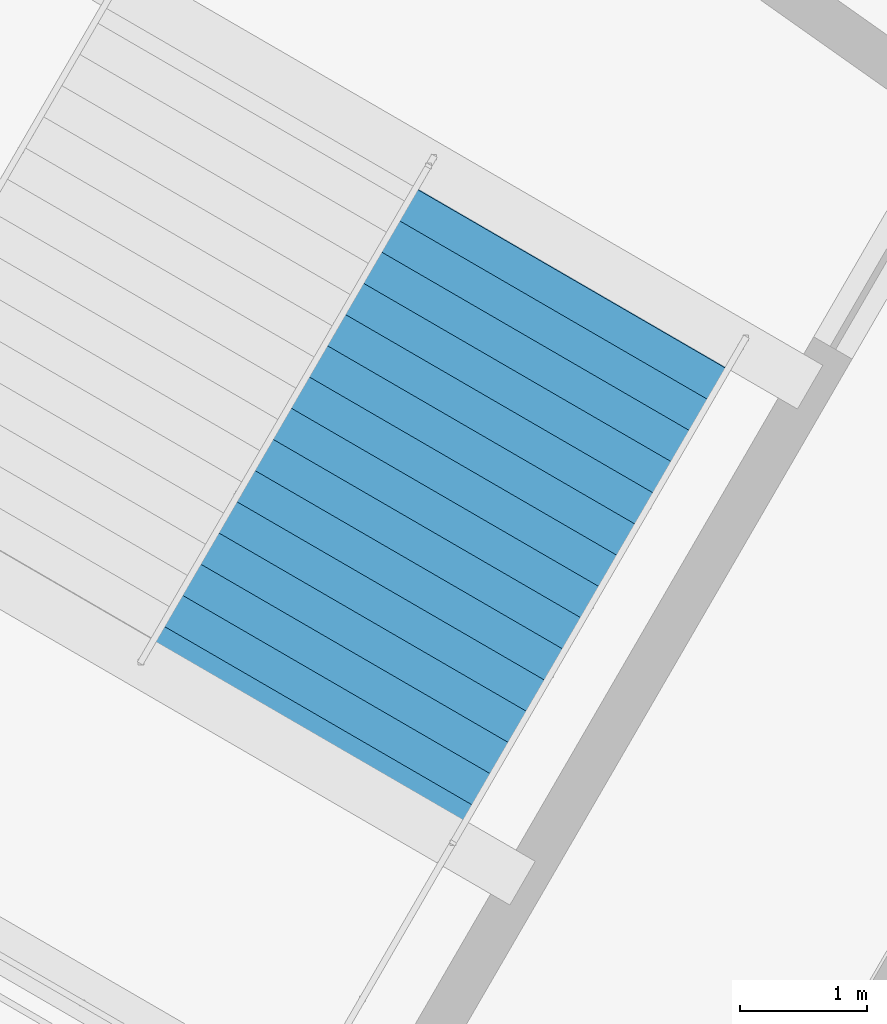
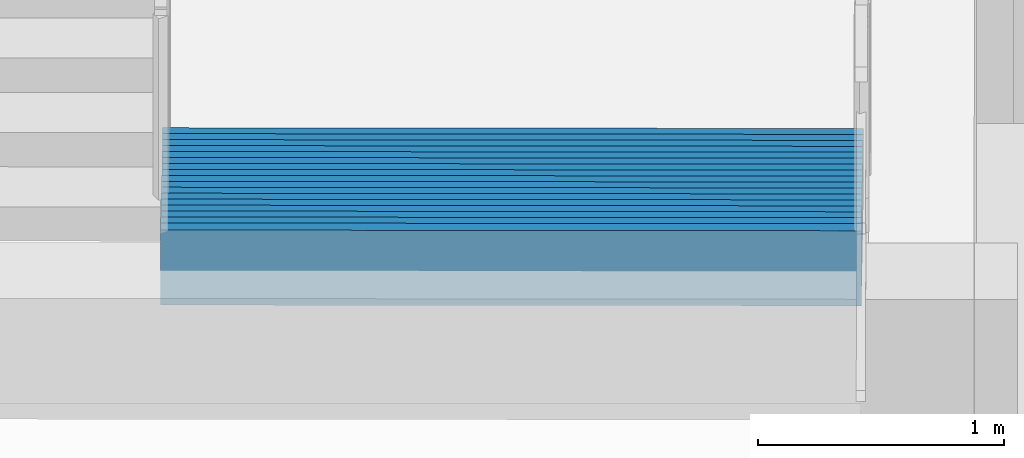
# One storey, part 34 of 48: 1 stair flight, 1 element without a shape of its own.
"""IFC4 building model written with IfcOpenShell, lengths in metres."""

from ifc_helpers import new_model, si_unit, direction, frame, origin, place, context, subcontext, project, spatial, polygons, material, type_object, element, aggregate, save


model = new_model("IFC4")

# Units and contexts
model_context = context("Model", 3, precision=1e-05, world=origin(), true_north=direction((0.0, 1.0)))
body_context = subcontext(model_context, "Body", "Model", "MODEL_VIEW")
ifc_project = project(units=[si_unit("LENGTHUNIT", "METRE"), si_unit("AREAUNIT", "SQUARE_METRE"), si_unit("VOLUMEUNIT", "CUBIC_METRE"), si_unit("PLANEANGLEUNIT", "RADIAN"), si_unit("MASSUNIT", "GRAM", prefix="KILO")], contexts=[model_context])

# Site, building, storey
site_placement = place(None, origin())
site = spatial("IfcSite", under=ifc_project, at=site_placement, CompositionType="ELEMENT")
building_placement = place(site_placement, origin())
building = spatial("IfcBuilding", under=site, at=building_placement, Name="Kazemori Nagisa Stadium", CompositionType="ELEMENT")
storey_placement = place(building_placement, origin())
storey = spatial("IfcBuildingStorey", under=building, at=storey_placement, Name="L00", CompositionType="ELEMENT", Elevation=0.0)

# Stair, stair flight
ifc_material = material(Name="Concrete C36/45 (Fc36)", Category="concrete")
stair_type = type_object("IfcStairType", Name="Stair_CORE_34", PredefinedType="TWO_STRAIGHT_RUN_STAIR", material=ifc_material)
stair_placement = place(storey_placement, origin())
stair = element("IfcStair", 1, at=stair_placement, inside=storey, type_object=stair_type, Name="Exit stair ST08 L00", PredefinedType="TWO_STRAIGHT_RUN_STAIR")
stair_flight_type = type_object("IfcStairFlightType", Name="Flight_CORE_17", PredefinedType="STRAIGHT", material=ifc_material)
stair_flight_placement = place(storey_placement, frame((49.54345703125, 150.724609375, 0.0), z_axis=(0.0, 0.0, 1.0), x_axis=(-0.501612320914, -0.865092526559, 0.0)))
stair_flight = element("IfcStairFlight", 2, at=stair_flight_placement, type_object=stair_flight_type, Name="Exit stair ST08 L00 flight 1", NumberOfRisers=17, NumberOfTreads=16, PredefinedType="STRAIGHT", RiserHeight=0.17, TreadLength=0.285, context=body_context, shape_type="Tessellation", body=[
    polygons([(0.0, -1.425048828125, 0.0), (0.0, -1.425048828125, 0.169921875), (0.284912109375, -1.425048828125, 0.169921875), (0.284912109375, -1.425048828125, 0.340087890625), (0.570068359375, -1.425048828125, 0.340087890625), (0.570068359375, -1.425048828125, 0.510009765625), (0.85498046875, -1.425048828125, 0.510009765625), (0.85498046875, -1.425048828125, 0.679931640625), (1.139892578125, -1.425048828125, 0.679931640625), (1.139892578125, -1.425048828125, 0.85009765625), (1.425048828125, -1.425048828125, 0.85009765625), (1.425048828125, -1.425048828125, 1.02001953125), (1.7099609375, -1.425048828125, 1.02001953125), (1.7099609375, -1.425048828125, 1.18994140625), (1.9951171875, -1.425048828125, 1.18994140625), (1.9951171875, -1.425048828125, 1.360107421875), (2.280029296875, -1.425048828125, 1.360107421875), (2.280029296875, -1.425048828125, 1.530029296875), (2.56494140625, -1.425048828125, 1.530029296875), (2.56494140625, -1.425048828125, 1.699951171875), (2.85009765625, -1.425048828125, 1.699951171875), (2.85009765625, -1.425048828125, 1.8701171875), (3.135009765625, -1.425048828125, 1.8701171875), (3.135009765625, -1.425048828125, 2.0400390625), (3.419921875, -1.425048828125, 2.0400390625), (3.419921875, -1.425048828125, 2.2099609375), (3.705078125, -1.425048828125, 2.2099609375), (3.705078125, -1.425048828125, 2.3798828125), (3.989990234375, -1.425048828125, 2.3798828125), (3.989990234375, -1.425048828125, 2.550048828125), (4.27490234375, -1.425048828125, 2.550048828125), (4.27490234375, -1.425048828125, 2.719970703125), (4.56005859375, -1.425048828125, 2.719970703125), (4.56005859375, -1.425048828125, 2.889892578125), (4.610107421875, -1.425048828125, 2.889892578125), (4.610107421875, -1.425048828125, 2.51708984375), (4.56005859375, -1.425048828125, 2.487060546875), (4.27490234375, -1.425048828125, 2.317138671875), (3.989990234375, -1.425048828125, 2.147216796875), (3.705078125, -1.425048828125, 1.977294921875), (3.419921875, -1.425048828125, 1.80712890625), (3.135009765625, -1.425048828125, 1.63720703125), (2.85009765625, -1.425048828125, 1.46728515625), (2.56494140625, -1.425048828125, 1.297119140625), (2.280029296875, -1.425048828125, 1.127197265625), (1.9951171875, -1.425048828125, 0.957275390625), (1.7099609375, -1.425048828125, 0.787109375), (1.425048828125, -1.425048828125, 0.6171875), (1.139892578125, -1.425048828125, 0.447265625), (0.85498046875, -1.425048828125, 0.277099609375), (0.570068359375, -1.425048828125, 0.107177734375), (0.284912109375, -1.425048828125, 0.0), (0.0, -0.08544921875, 0.0), (0.0, -0.08544921875, 0.169921875), (0.284912109375, -0.08544921875, 0.169921875), (0.284912109375, -0.08544921875, 0.340087890625), (0.570068359375, -0.08544921875, 0.340087890625), (0.570068359375, -0.08544921875, 0.510009765625), (0.85498046875, -0.08544921875, 0.510009765625), (0.85498046875, -0.08544921875, 0.679931640625), (1.139892578125, -0.08544921875, 0.679931640625), (1.139892578125, -0.08544921875, 0.85009765625), (1.425048828125, -0.08544921875, 0.85009765625), (1.425048828125, -0.08544921875, 1.02001953125), (1.7099609375, -0.08544921875, 1.02001953125), (1.7099609375, -0.08544921875, 1.18994140625), (1.9951171875, -0.08544921875, 1.18994140625), (1.9951171875, -0.08544921875, 1.360107421875), (2.280029296875, -0.08544921875, 1.360107421875), (2.280029296875, -0.08544921875, 1.530029296875), (2.56494140625, -0.08544921875, 1.530029296875), (2.56494140625, -0.08544921875, 1.699951171875), (2.85009765625, -0.08544921875, 1.699951171875), (2.85009765625, -0.08544921875, 1.8701171875), (3.135009765625, -0.08544921875, 1.8701171875), (3.135009765625, -0.08544921875, 2.0400390625), (3.419921875, -0.08544921875, 2.0400390625), (3.419921875, -0.08544921875, 2.2099609375), (3.705078125, -0.08544921875, 2.2099609375), (3.705078125, -0.08544921875, 2.3798828125), (3.989990234375, -0.08544921875, 2.3798828125), (3.989990234375, -0.08544921875, 2.550048828125), (4.27490234375, -0.08544921875, 2.550048828125), (4.27490234375, -0.08544921875, 2.719970703125), (4.56005859375, -0.08544921875, 2.719970703125), (4.56005859375, -0.08544921875, 2.889892578125), (4.610107421875, -0.08544921875, 2.889892578125), (4.610107421875, -0.08544921875, 2.51708984375), (4.56005859375, -0.08544921875, 2.487060546875), (4.27490234375, -0.08544921875, 2.317138671875), (3.989990234375, -0.08544921875, 2.147216796875), (3.705078125, -0.08544921875, 1.977294921875), (3.419921875, -0.08544921875, 1.80712890625), (3.135009765625, -0.08544921875, 1.63720703125), (2.85009765625, -0.08544921875, 1.46728515625), (2.56494140625, -0.08544921875, 1.297119140625), (2.280029296875, -0.08544921875, 1.127197265625), (1.9951171875, -0.08544921875, 0.957275390625), (1.7099609375, -0.08544921875, 0.787109375), (1.425048828125, -0.08544921875, 0.6171875), (1.139892578125, -0.08544921875, 0.447265625), (0.85498046875, -0.08544921875, 0.277099609375), (0.570068359375, -0.08544921875, 0.107177734375), (0.284912109375, -0.08544921875, 0.0), (0.0, 0.0, 0.0), (0.0, 0.0, 0.169921875), (0.284912109375, 0.0, 0.169921875), (0.284912109375, 0.0, 0.340087890625), (0.570068359375, 0.0, 0.340087890625), (0.570068359375, 0.0, 0.510009765625), (0.85498046875, 0.0, 0.510009765625), (0.85498046875, 0.0, 0.679931640625), (1.139892578125, 0.0, 0.679931640625), (1.139892578125, 0.0, 0.85009765625), (1.425048828125, 0.0, 0.85009765625), (1.425048828125, 0.0, 1.02001953125), (1.7099609375, 0.0, 1.02001953125), (1.7099609375, 0.0, 1.18994140625), (1.9951171875, 0.0, 1.18994140625), (1.9951171875, 0.0, 1.360107421875), (2.280029296875, 0.0, 1.360107421875), (2.280029296875, 0.0, 1.530029296875), (2.56494140625, 0.0, 1.530029296875), (2.56494140625, 0.0, 1.699951171875), (2.85009765625, 0.0, 1.699951171875), (2.85009765625, 0.0, 1.8701171875), (3.135009765625, 0.0, 1.8701171875), (3.135009765625, 0.0, 2.0400390625), (3.419921875, 0.0, 2.0400390625), (3.419921875, 0.0, 2.2099609375), (3.705078125, 0.0, 2.2099609375), (3.705078125, 0.0, 2.3798828125), (3.989990234375, 0.0, 2.3798828125), (3.989990234375, 0.0, 2.550048828125), (4.27490234375, 0.0, 2.550048828125), (4.27490234375, 0.0, 2.719970703125), (4.56005859375, 0.0, 2.719970703125), (4.56005859375, 0.0, 2.889892578125), (4.610107421875, 0.0, 2.889892578125), (4.610107421875, 0.0, 2.51708984375), (4.56005859375, 0.0, 2.487060546875), (4.27490234375, 0.0, 2.317138671875), (3.989990234375, 0.0, 2.147216796875), (3.705078125, 0.0, 1.977294921875), (3.419921875, 0.0, 1.80712890625), (3.135009765625, 0.0, 1.63720703125), (2.85009765625, 0.0, 1.46728515625), (2.56494140625, 0.0, 1.297119140625), (2.280029296875, 0.0, 1.127197265625), (1.9951171875, 0.0, 0.957275390625), (1.7099609375, 0.0, 0.787109375), (1.425048828125, 0.0, 0.6171875), (1.139892578125, 0.0, 0.447265625), (0.85498046875, 0.0, 0.277099609375), (0.570068359375, 0.0, 0.107177734375), (0.284912109375, 0.0, 0.0), (0.0, 0.08544921875, 0.0), (0.0, 0.08544921875, 0.169921875), (0.284912109375, 0.08544921875, 0.169921875), (0.284912109375, 0.08544921875, 0.340087890625), (0.570068359375, 0.08544921875, 0.340087890625), (0.570068359375, 0.08544921875, 0.510009765625), (0.85498046875, 0.08544921875, 0.510009765625), (0.85498046875, 0.08544921875, 0.679931640625), (1.139892578125, 0.08544921875, 0.679931640625), (1.139892578125, 0.08544921875, 0.85009765625), (1.425048828125, 0.08544921875, 0.85009765625), (1.425048828125, 0.08544921875, 1.02001953125), (1.7099609375, 0.08544921875, 1.02001953125), (1.7099609375, 0.08544921875, 1.18994140625), (1.9951171875, 0.08544921875, 1.18994140625), (1.9951171875, 0.08544921875, 1.360107421875), (2.280029296875, 0.08544921875, 1.360107421875), (2.280029296875, 0.08544921875, 1.530029296875), (2.56494140625, 0.08544921875, 1.530029296875), (2.56494140625, 0.08544921875, 1.699951171875), (2.85009765625, 0.08544921875, 1.699951171875), (2.85009765625, 0.08544921875, 1.8701171875), (3.135009765625, 0.08544921875, 1.8701171875), (3.135009765625, 0.08544921875, 2.0400390625), (3.419921875, 0.08544921875, 2.0400390625), (3.419921875, 0.08544921875, 2.2099609375), (3.705078125, 0.08544921875, 2.2099609375), (3.705078125, 0.08544921875, 2.3798828125), (3.989990234375, 0.08544921875, 2.3798828125), (3.989990234375, 0.08544921875, 2.550048828125), (4.27490234375, 0.08544921875, 2.550048828125), (4.27490234375, 0.08544921875, 2.719970703125), (4.56005859375, 0.08544921875, 2.719970703125), (4.56005859375, 0.08544921875, 2.889892578125), (4.610107421875, 0.08544921875, 2.889892578125), (4.610107421875, 0.08544921875, 2.51708984375), (4.56005859375, 0.08544921875, 2.487060546875), (4.27490234375, 0.08544921875, 2.317138671875), (3.989990234375, 0.08544921875, 2.147216796875), (3.705078125, 0.08544921875, 1.977294921875), (3.419921875, 0.08544921875, 1.80712890625), (3.135009765625, 0.08544921875, 1.63720703125), (2.85009765625, 0.08544921875, 1.46728515625), (2.56494140625, 0.08544921875, 1.297119140625), (2.280029296875, 0.08544921875, 1.127197265625), (1.9951171875, 0.08544921875, 0.957275390625), (1.7099609375, 0.08544921875, 0.787109375), (1.425048828125, 0.08544921875, 0.6171875), (1.139892578125, 0.08544921875, 0.447265625), (0.85498046875, 0.08544921875, 0.277099609375), (0.570068359375, 0.08544921875, 0.107177734375), (0.284912109375, 0.08544921875, 0.0), (0.0, 1.425048828125, 0.0), (0.0, 1.425048828125, 0.169921875), (0.284912109375, 1.425048828125, 0.169921875), (0.284912109375, 1.425048828125, 0.340087890625), (0.570068359375, 1.425048828125, 0.340087890625), (0.570068359375, 1.425048828125, 0.510009765625), (0.85498046875, 1.425048828125, 0.510009765625), (0.85498046875, 1.425048828125, 0.679931640625), (1.139892578125, 1.425048828125, 0.679931640625), (1.139892578125, 1.425048828125, 0.85009765625), (1.425048828125, 1.425048828125, 0.85009765625), (1.425048828125, 1.425048828125, 1.02001953125), (1.7099609375, 1.425048828125, 1.02001953125), (1.7099609375, 1.425048828125, 1.18994140625), (1.9951171875, 1.425048828125, 1.18994140625), (1.9951171875, 1.425048828125, 1.360107421875), (2.280029296875, 1.425048828125, 1.360107421875), (2.280029296875, 1.425048828125, 1.530029296875), (2.56494140625, 1.425048828125, 1.530029296875), (2.56494140625, 1.425048828125, 1.699951171875), (2.85009765625, 1.425048828125, 1.699951171875), (2.85009765625, 1.425048828125, 1.8701171875), (3.135009765625, 1.425048828125, 1.8701171875), (3.135009765625, 1.425048828125, 2.0400390625), (3.419921875, 1.425048828125, 2.0400390625), (3.419921875, 1.425048828125, 2.2099609375), (3.705078125, 1.425048828125, 2.2099609375), (3.705078125, 1.425048828125, 2.3798828125), (3.989990234375, 1.425048828125, 2.3798828125), (3.989990234375, 1.425048828125, 2.550048828125), (4.27490234375, 1.425048828125, 2.550048828125), (4.27490234375, 1.425048828125, 2.719970703125), (4.56005859375, 1.425048828125, 2.719970703125), (4.56005859375, 1.425048828125, 2.889892578125), (4.610107421875, 1.425048828125, 2.889892578125), (4.610107421875, 1.425048828125, 2.51708984375), (4.56005859375, 1.425048828125, 2.487060546875), (4.27490234375, 1.425048828125, 2.317138671875), (3.989990234375, 1.425048828125, 2.147216796875), (3.705078125, 1.425048828125, 1.977294921875), (3.419921875, 1.425048828125, 1.80712890625), (3.135009765625, 1.425048828125, 1.63720703125), (2.85009765625, 1.425048828125, 1.46728515625), (2.56494140625, 1.425048828125, 1.297119140625), (2.280029296875, 1.425048828125, 1.127197265625), (1.9951171875, 1.425048828125, 0.957275390625), (1.7099609375, 1.425048828125, 0.787109375), (1.425048828125, 1.425048828125, 0.6171875), (1.139892578125, 1.425048828125, 0.447265625), (0.85498046875, 1.425048828125, 0.277099609375), (0.570068359375, 1.425048828125, 0.107177734375), (0.284912109375, 1.425048828125, 0.0)], [[[1, 2, 54]], [[1, 54, 53]], [[2, 3, 55]], [[2, 55, 54]], [[3, 4, 56]], [[3, 56, 55]], [[4, 5, 57]], [[4, 57, 56]], [[5, 6, 58]], [[5, 58, 57]], [[6, 7, 59]], [[6, 59, 58]], [[7, 8, 60]], [[7, 60, 59]], [[8, 9, 61]], [[8, 61, 60]], [[9, 10, 62]], [[9, 62, 61]], [[10, 11, 63]], [[10, 63, 62]], [[11, 12, 64]], [[11, 64, 63]], [[12, 13, 65]], [[12, 65, 64]], [[13, 14, 66]], [[13, 66, 65]], [[14, 15, 67]], [[14, 67, 66]], [[15, 16, 68]], [[15, 68, 67]], [[16, 17, 69]], [[16, 69, 68]], [[17, 18, 70]], [[17, 70, 69]], [[18, 19, 71]], [[18, 71, 70]], [[19, 20, 72]], [[19, 72, 71]], [[20, 21, 73]], [[20, 73, 72]], [[21, 22, 74]], [[21, 74, 73]], [[22, 23, 75]], [[22, 75, 74]], [[23, 24, 76]], [[23, 76, 75]], [[24, 25, 77]], [[24, 77, 76]], [[25, 26, 78]], [[25, 78, 77]], [[26, 27, 79]], [[26, 79, 78]], [[27, 28, 80]], [[27, 80, 79]], [[28, 29, 81]], [[28, 81, 80]], [[29, 30, 82]], [[29, 82, 81]], [[30, 31, 83]], [[30, 83, 82]], [[31, 32, 84]], [[31, 84, 83]], [[32, 33, 85]], [[32, 85, 84]], [[33, 34, 86]], [[33, 86, 85]], [[34, 35, 87]], [[34, 87, 86]], [[35, 36, 88]], [[35, 88, 87]], [[36, 37, 89]], [[36, 89, 88]], [[37, 38, 90]], [[37, 90, 89]], [[38, 39, 91]], [[38, 91, 90]], [[39, 40, 92]], [[39, 92, 91]], [[40, 41, 93]], [[40, 93, 92]], [[41, 42, 94]], [[41, 94, 93]], [[42, 43, 95]], [[42, 95, 94]], [[43, 44, 96]], [[43, 96, 95]], [[44, 45, 97]], [[44, 97, 96]], [[45, 46, 98]], [[45, 98, 97]], [[46, 47, 99]], [[46, 99, 98]], [[47, 48, 100]], [[47, 100, 99]], [[48, 49, 101]], [[48, 101, 100]], [[49, 50, 102]], [[49, 102, 101]], [[50, 51, 103]], [[50, 103, 102]], [[51, 52, 104]], [[51, 104, 103]], [[52, 1, 53]], [[52, 53, 104]], [[53, 54, 106]], [[53, 106, 105]], [[54, 55, 107]], [[54, 107, 106]], [[55, 56, 108]], [[55, 108, 107]], [[56, 57, 109]], [[56, 109, 108]], [[57, 58, 110]], [[57, 110, 109]], [[58, 59, 111]], [[58, 111, 110]], [[59, 60, 112]], [[59, 112, 111]], [[60, 61, 113]], [[60, 113, 112]], [[61, 62, 114]], [[61, 114, 113]], [[62, 63, 115]], [[62, 115, 114]], [[63, 64, 116]], [[63, 116, 115]], [[64, 65, 117]], [[64, 117, 116]], [[65, 66, 118]], [[65, 118, 117]], [[66, 67, 119]], [[66, 119, 118]], [[67, 68, 120]], [[67, 120, 119]], [[68, 69, 121]], [[68, 121, 120]], [[69, 70, 122]], [[69, 122, 121]], [[70, 71, 123]], [[70, 123, 122]], [[71, 72, 124]], [[71, 124, 123]], [[72, 73, 125]], [[72, 125, 124]], [[73, 74, 126]], [[73, 126, 125]], [[74, 75, 127]], [[74, 127, 126]], [[75, 76, 128]], [[75, 128, 127]], [[76, 77, 129]], [[76, 129, 128]], [[77, 78, 130]], [[77, 130, 129]], [[78, 79, 131]], [[78, 131, 130]], [[79, 80, 132]], [[79, 132, 131]], [[80, 81, 133]], [[80, 133, 132]], [[81, 82, 134]], [[81, 134, 133]], [[82, 83, 135]], [[82, 135, 134]], [[83, 84, 136]], [[83, 136, 135]], [[84, 85, 137]], [[84, 137, 136]], [[85, 86, 138]], [[85, 138, 137]], [[86, 87, 139]], [[86, 139, 138]], [[87, 88, 140]], [[87, 140, 139]], [[88, 89, 141]], [[88, 141, 140]], [[89, 90, 142]], [[89, 142, 141]], [[90, 91, 143]], [[90, 143, 142]], [[91, 92, 144]], [[91, 144, 143]], [[92, 93, 145]], [[92, 145, 144]], [[93, 94, 146]], [[93, 146, 145]], [[94, 95, 147]], [[94, 147, 146]], [[95, 96, 148]], [[95, 148, 147]], [[96, 97, 149]], [[96, 149, 148]], [[97, 98, 150]], [[97, 150, 149]], [[98, 99, 151]], [[98, 151, 150]], [[99, 100, 152]], [[99, 152, 151]], [[100, 101, 153]], [[100, 153, 152]], [[101, 102, 154]], [[101, 154, 153]], [[102, 103, 155]], [[102, 155, 154]], [[103, 104, 156]], [[103, 156, 155]], [[104, 53, 105]], [[104, 105, 156]], [[105, 106, 158]], [[105, 158, 157]], [[106, 107, 159]], [[106, 159, 158]], [[107, 108, 160]], [[107, 160, 159]], [[108, 109, 161]], [[108, 161, 160]], [[109, 110, 162]], [[109, 162, 161]], [[110, 111, 163]], [[110, 163, 162]], [[111, 112, 164]], [[111, 164, 163]], [[112, 113, 165]], [[112, 165, 164]], [[113, 114, 166]], [[113, 166, 165]], [[114, 115, 167]], [[114, 167, 166]], [[115, 116, 168]], [[115, 168, 167]], [[116, 117, 169]], [[116, 169, 168]], [[117, 118, 170]], [[117, 170, 169]], [[118, 119, 171]], [[118, 171, 170]], [[119, 120, 172]], [[119, 172, 171]], [[120, 121, 173]], [[120, 173, 172]], [[121, 122, 174]], [[121, 174, 173]], [[122, 123, 175]], [[122, 175, 174]], [[123, 124, 176]], [[123, 176, 175]], [[124, 125, 177]], [[124, 177, 176]], [[125, 126, 178]], [[125, 178, 177]], [[126, 127, 179]], [[126, 179, 178]], [[127, 128, 180]], [[127, 180, 179]], [[128, 129, 181]], [[128, 181, 180]], [[129, 130, 182]], [[129, 182, 181]], [[130, 131, 183]], [[130, 183, 182]], [[131, 132, 184]], [[131, 184, 183]], [[132, 133, 185]], [[132, 185, 184]], [[133, 134, 186]], [[133, 186, 185]], [[134, 135, 187]], [[134, 187, 186]], [[135, 136, 188]], [[135, 188, 187]], [[136, 137, 189]], [[136, 189, 188]], [[137, 138, 190]], [[137, 190, 189]], [[138, 139, 191]], [[138, 191, 190]], [[139, 140, 192]], [[139, 192, 191]], [[140, 141, 193]], [[140, 193, 192]], [[141, 142, 194]], [[141, 194, 193]], [[142, 143, 195]], [[142, 195, 194]], [[143, 144, 196]], [[143, 196, 195]], [[144, 145, 197]], [[144, 197, 196]], [[145, 146, 198]], [[145, 198, 197]], [[146, 147, 199]], [[146, 199, 198]], [[147, 148, 200]], [[147, 200, 199]], [[148, 149, 201]], [[148, 201, 200]], [[149, 150, 202]], [[149, 202, 201]], [[150, 151, 203]], [[150, 203, 202]], [[151, 152, 204]], [[151, 204, 203]], [[152, 153, 205]], [[152, 205, 204]], [[153, 154, 206]], [[153, 206, 205]], [[154, 155, 207]], [[154, 207, 206]], [[155, 156, 208]], [[155, 208, 207]], [[156, 105, 157]], [[156, 157, 208]], [[157, 158, 210]], [[157, 210, 209]], [[158, 159, 211]], [[158, 211, 210]], [[159, 160, 212]], [[159, 212, 211]], [[160, 161, 213]], [[160, 213, 212]], [[161, 162, 214]], [[161, 214, 213]], [[162, 163, 215]], [[162, 215, 214]], [[163, 164, 216]], [[163, 216, 215]], [[164, 165, 217]], [[164, 217, 216]], [[165, 166, 218]], [[165, 218, 217]], [[166, 167, 219]], [[166, 219, 218]], [[167, 168, 220]], [[167, 220, 219]], [[168, 169, 221]], [[168, 221, 220]], [[169, 170, 222]], [[169, 222, 221]], [[170, 171, 223]], [[170, 223, 222]], [[171, 172, 224]], [[171, 224, 223]], [[172, 173, 225]], [[172, 225, 224]], [[173, 174, 226]], [[173, 226, 225]], [[174, 175, 227]], [[174, 227, 226]], [[175, 176, 228]], [[175, 228, 227]], [[176, 177, 229]], [[176, 229, 228]], [[177, 178, 230]], [[177, 230, 229]], [[178, 179, 231]], [[178, 231, 230]], [[179, 180, 232]], [[179, 232, 231]], [[180, 181, 233]], [[180, 233, 232]], [[181, 182, 234]], [[181, 234, 233]], [[182, 183, 235]], [[182, 235, 234]], [[183, 184, 236]], [[183, 236, 235]], [[184, 185, 237]], [[184, 237, 236]], [[185, 186, 238]], [[185, 238, 237]], [[186, 187, 239]], [[186, 239, 238]], [[187, 188, 240]], [[187, 240, 239]], [[188, 189, 241]], [[188, 241, 240]], [[189, 190, 242]], [[189, 242, 241]], [[190, 191, 243]], [[190, 243, 242]], [[191, 192, 244]], [[191, 244, 243]], [[192, 193, 245]], [[192, 245, 244]], [[193, 194, 246]], [[193, 246, 245]], [[194, 195, 247]], [[194, 247, 246]], [[195, 196, 248]], [[195, 248, 247]], [[196, 197, 249]], [[196, 249, 248]], [[197, 198, 250]], [[197, 250, 249]], [[198, 199, 251]], [[198, 251, 250]], [[199, 200, 252]], [[199, 252, 251]], [[200, 201, 253]], [[200, 253, 252]], [[201, 202, 254]], [[201, 254, 253]], [[202, 203, 255]], [[202, 255, 254]], [[203, 204, 256]], [[203, 256, 255]], [[204, 205, 257]], [[204, 257, 256]], [[205, 206, 258]], [[205, 258, 257]], [[206, 207, 259]], [[206, 259, 258]], [[207, 208, 260]], [[207, 260, 259]], [[208, 157, 209]], [[208, 209, 260]], [[3, 2, 1]], [[209, 210, 211]], [[52, 3, 1]], [[209, 211, 260]], [[51, 3, 52]], [[260, 211, 259]], [[5, 3, 51]], [[259, 211, 213]], [[5, 4, 3]], [[211, 212, 213]], [[50, 5, 51]], [[259, 213, 258]], [[7, 5, 50]], [[258, 213, 215]], [[7, 6, 5]], [[213, 214, 215]], [[49, 7, 50]], [[258, 215, 257]], [[9, 7, 49]], [[257, 215, 217]], [[9, 8, 7]], [[215, 216, 217]], [[48, 9, 49]], [[257, 217, 256]], [[11, 9, 48]], [[256, 217, 219]], [[11, 10, 9]], [[217, 218, 219]], [[47, 11, 48]], [[256, 219, 255]], [[13, 11, 47]], [[255, 219, 221]], [[13, 12, 11]], [[219, 220, 221]], [[46, 13, 47]], [[255, 221, 254]], [[15, 13, 46]], [[254, 221, 223]], [[15, 14, 13]], [[221, 222, 223]], [[45, 15, 46]], [[254, 223, 253]], [[17, 15, 45]], [[253, 223, 225]], [[17, 16, 15]], [[223, 224, 225]], [[44, 17, 45]], [[253, 225, 252]], [[19, 17, 44]], [[252, 225, 227]], [[19, 18, 17]], [[225, 226, 227]], [[43, 19, 44]], [[252, 227, 251]], [[21, 19, 43]], [[251, 227, 229]], [[21, 20, 19]], [[227, 228, 229]], [[42, 21, 43]], [[251, 229, 250]], [[23, 21, 42]], [[250, 229, 231]], [[23, 22, 21]], [[229, 230, 231]], [[41, 23, 42]], [[250, 231, 249]], [[25, 23, 41]], [[249, 231, 233]], [[25, 24, 23]], [[231, 232, 233]], [[40, 25, 41]], [[249, 233, 248]], [[27, 25, 40]], [[248, 233, 235]], [[27, 26, 25]], [[233, 234, 235]], [[39, 27, 40]], [[248, 235, 247]], [[29, 27, 39]], [[247, 235, 237]], [[29, 28, 27]], [[235, 236, 237]], [[38, 29, 39]], [[247, 237, 246]], [[31, 29, 38]], [[246, 237, 239]], [[31, 30, 29]], [[237, 238, 239]], [[37, 31, 38]], [[246, 239, 245]], [[33, 31, 37]], [[245, 239, 241]], [[33, 32, 31]], [[239, 240, 241]], [[36, 33, 37]], [[245, 241, 244]], [[35, 33, 36]], [[244, 241, 243]], [[35, 34, 33]], [[241, 242, 243]]], closed=True),
])
aggregate(stair, [stair_flight])

save(model, "model.ifc")
